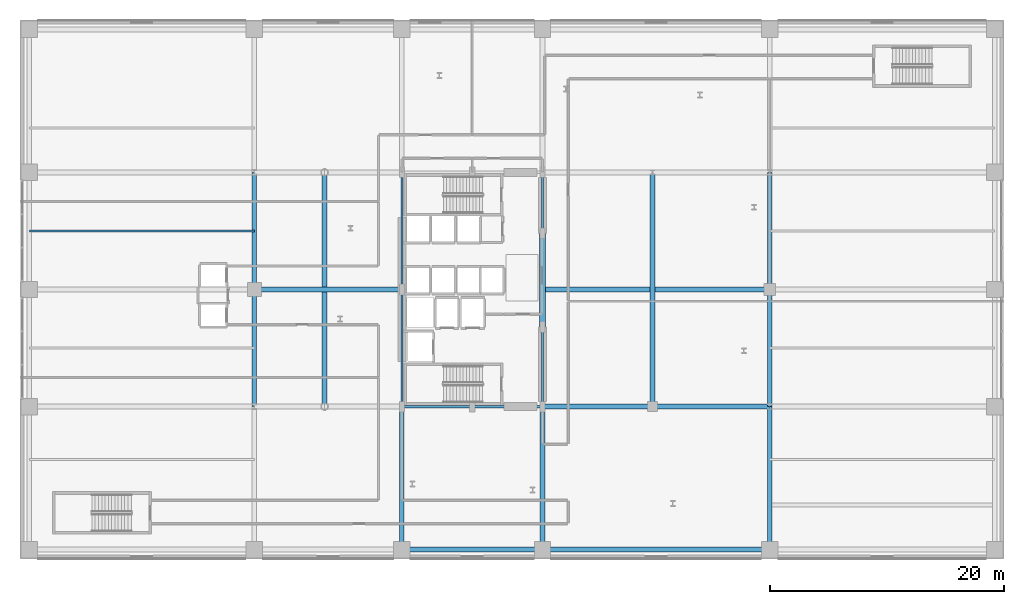
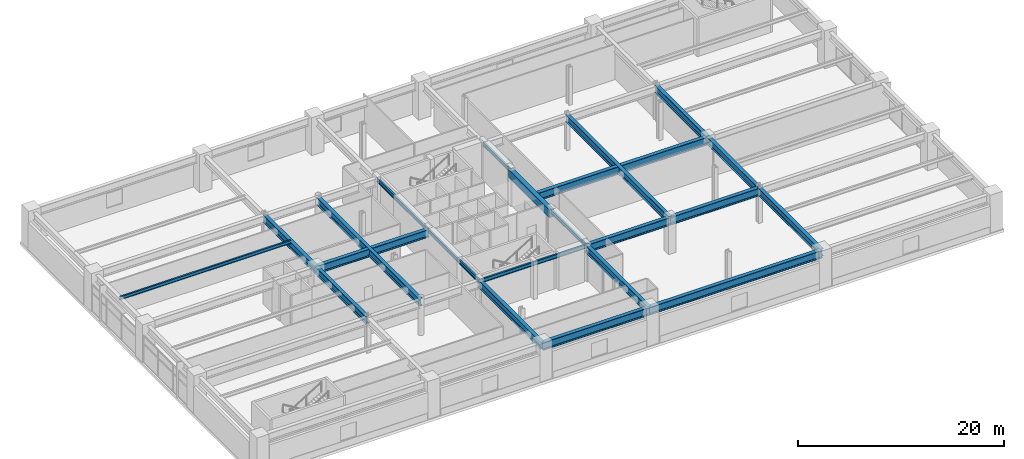
# One storey, part 10 of 28: 23 beams.
"""IFC4 building model written with IfcOpenShell, lengths in metres."""

from ifc_helpers import new_model, si_unit, direction, frame, origin, origin_2d, place, context, subcontext, project, spatial, rectangle, i_section, extrude, material, material_profile, profile_set, type_object, element, save


model = new_model("IFC4")

# Units and contexts
model_context = context("Model", 3, precision=1e-05, world=origin(), true_north=direction((0.0, 1.0)))
body_context = subcontext(model_context, "Body", "Model", "MODEL_VIEW")
ifc_project = project(units=[si_unit("LENGTHUNIT", "METRE"), si_unit("AREAUNIT", "SQUARE_METRE"), si_unit("VOLUMEUNIT", "CUBIC_METRE"), si_unit("PLANEANGLEUNIT", "RADIAN"), si_unit("MASSUNIT", "GRAM", prefix="KILO")], contexts=[model_context])

# Site, building, storey
site_placement = place(None, origin())
site = spatial("IfcSite", under=ifc_project, at=site_placement, CompositionType="ELEMENT")
building_placement = place(site_placement, origin())
building = spatial("IfcBuilding", under=site, at=building_placement, Name="Soratama Intermodal Tower", CompositionType="ELEMENT")
storey_placement = place(building_placement, frame((0.0, 0.0, 16.199951171875)))
storey = spatial("IfcBuildingStorey", under=building, at=storey_placement, Name="L03", CompositionType="ELEMENT", Elevation=16.199951171875)

# Beams
ifc_material_1 = material(Name="Concrete f'c 56 MPa", Category="concrete")
ifc_material_profile_1 = material_profile(ifc_material_1, rectangle(XDim=0.5, YDim=0.949951171875, at=origin_2d()), Name="RC500X950")
ifc_profile_set_1 = profile_set([ifc_material_profile_1], Name="Concrete f'c 56 MPa")
beam_type_1 = type_object("IfcBeamType", Name="BM-CPL-RC500X950", PredefinedType="BEAM", material=ifc_profile_set_1)
beam_1_placement = place(storey_placement, frame((44.60009765625, 21.800048828125, 3.705078125), z_axis=(0.0, 1.0, 0.0), x_axis=(-1.0, 0.0, 0.0)))
element("IfcBeam", 1, at=beam_1_placement, inside=storey, type_object=beam_type_1, Name="L03 Core Coupling Beam East", PredefinedType="BEAM", context=body_context, shape_type="SweptSolid", body=[
    extrude(rectangle(XDim=0.5, YDim=0.949951171875, at=origin_2d()), origin(), (0.0, 0.0, 1.0), 8.0),
])
ifc_material_2 = material(Name="Structural steel ASTM A992 Grade 50", Category="steel")
ifc_material_profile_2 = material_profile(ifc_material_2, i_section(OverallWidth=0.19091796875, OverallDepth=0.4599609375, WebThickness=0.010009765625, FlangeThickness=0.01611328125, FilletRadius=0.010986328125, at=origin_2d()), Name="W18X55")
ifc_profile_set_2 = profile_set([ifc_material_profile_2], Name="Structural steel ASTM A992 Grade 50")
beam_type_2 = type_object("IfcBeamType", Name="BM-FLR-W18X55", PredefinedType="BEAM", material=ifc_profile_set_2)
for number, where, z_axis, x_axis, name in (
    (2, (32.60009765625, 15.0, 3.949951171875), (1.0, 0.0, 0.0), (0.0, 1.0, 0.0), "BM-L03-CRING-01"),
    (3, (38.60009765625, 15.0, 3.949951171875), (1.0, 0.0, 0.0), (0.0, 1.0, 0.0), "BM-L03-CRING-02"),
):
    element("IfcBeam", number, at=place(storey_placement, frame(where, z_axis=z_axis, x_axis=x_axis)), inside=storey, type_object=beam_type_2, Name=name, PredefinedType="BEAM", context=body_context, shape_type="SweptSolid", body=[
        extrude(i_section(OverallWidth=0.19091796875, OverallDepth=0.4599609375, WebThickness=0.010009765625, FlangeThickness=0.01611328125, FilletRadius=0.010986328125, at=origin_2d()), origin(), (0.0, 0.0, 1.0), 6.0),
    ])
beam_2_placement = place(storey_placement, frame((44.60009765625, 15.0, 3.949951171875), z_axis=(0.0, 1.0, 0.0), x_axis=(-1.0, 0.0, 0.0)))
element("IfcBeam", 4, at=beam_2_placement, inside=storey, type_object=beam_type_2, Name="BM-L03-CRING-03", PredefinedType="BEAM", context=body_context, shape_type="SweptSolid", body=[
    extrude(i_section(OverallWidth=0.19091796875, OverallDepth=0.4599609375, WebThickness=0.010009765625, FlangeThickness=0.01611328125, FilletRadius=0.010986328125, at=origin_2d()), origin(), (0.0, 0.0, 1.0), 6.800048828125),
])
beam_3_placement = place(storey_placement, frame((44.60009765625, 29.800048828125, 3.949951171875), z_axis=(0.0, 1.0, 0.0), x_axis=(-1.0, 0.0, 0.0)))
element("IfcBeam", 5, at=beam_3_placement, inside=storey, type_object=beam_type_2, Name="BM-L03-CRING-05", PredefinedType="BEAM", context=body_context, shape_type="SweptSolid", body=[
    extrude(i_section(OverallWidth=0.19091796875, OverallDepth=0.4599609375, WebThickness=0.010009765625, FlangeThickness=0.01611328125, FilletRadius=0.010986328125, at=origin_2d()), origin(), (0.0, 0.0, 1.0), 5.199951171875),
])
for number, where, z_axis, x_axis, name in (
    (6, (32.60009765625, 35.0, 3.949951171875), (0.0, -1.0, 0.0), (1.0, 0.0, 0.0), "BM-L03-CRING-08"),
    (7, (32.60009765625, 25.0, 3.949951171875), (0.0, -1.0, 0.0), (1.0, 0.0, 0.0), "BM-L03-CRING-09"),
):
    element("IfcBeam", number, at=place(storey_placement, frame(where, z_axis=z_axis, x_axis=x_axis)), inside=storey, type_object=beam_type_2, Name=name, PredefinedType="BEAM", context=body_context, shape_type="SweptSolid", body=[
        extrude(i_section(OverallWidth=0.19091796875, OverallDepth=0.4599609375, WebThickness=0.010009765625, FlangeThickness=0.01611328125, FilletRadius=0.010986328125, at=origin_2d()), origin(), (0.0, 0.0, 1.0), 10.0),
    ])
ifc_material_3 = material(Name="Structural steel ASTM A992 Grade 50", Category="steel")
ifc_material_profile_3 = material_profile(ifc_material_3, i_section(OverallWidth=0.177978515625, OverallDepth=0.406982421875, WebThickness=0.0078125, FlangeThickness=0.0126953125, FilletRadius=0.010009765625, at=origin_2d()), Name="W16X40")
ifc_profile_set_3 = profile_set([ifc_material_profile_3], Name="Structural steel ASTM A992 Grade 50")
beam_type_3 = type_object("IfcBeamType", Name="BM-JST-W16X40", PredefinedType="JOIST", material=ifc_profile_set_3)
beam_4_placement = place(storey_placement, frame((0.800048828125, 30.0, 3.9765625), z_axis=(1.0, 0.0, 0.0), x_axis=(0.0, 1.0, 0.0)))
element("IfcBeam", 8, at=beam_4_placement, inside=storey, type_object=beam_type_3, Name="JST-L03-W3", PredefinedType="JOIST", context=body_context, shape_type="SweptSolid", body=[
    extrude(i_section(OverallWidth=0.177978515625, OverallDepth=0.406982421875, WebThickness=0.0078125, FlangeThickness=0.0126953125, FilletRadius=0.010009765625, at=origin_2d()), origin(), (0.0, 0.0, 1.0), 19.199951171875),
])
ifc_material_4 = material(Name="Structural steel ASTM A992 Grade 50", Category="steel")
ifc_material_profile_4 = material_profile(ifc_material_4, i_section(OverallWidth=0.423095703125, OverallDepth=0.93896484375, WebThickness=0.02392578125, FlangeThickness=0.042724609375, FilletRadius=0.02392578125, at=origin_2d()), Name="W36X302")
ifc_profile_set_4 = profile_set([ifc_material_profile_4], Name="Structural steel ASTM A992 Grade 50")
beam_type_4 = type_object("IfcBeamType", Name="BM-POD-EXT-W36", PredefinedType="BEAM", material=ifc_profile_set_4)
beam_5_placement = place(storey_placement, frame((32.60009765625, 2.800048828125, 3.71044921875), z_axis=(1.0, 0.0, 0.0), x_axis=(0.0, 1.0, 0.0)))
element("IfcBeam", 9, at=beam_5_placement, inside=storey, type_object=beam_type_4, Name="L03 Station Girder X1-3", PredefinedType="BEAM", context=body_context, shape_type="SweptSolid", body=[
    extrude(i_section(OverallWidth=0.423095703125, OverallDepth=0.93896484375, WebThickness=0.02392578125, FlangeThickness=0.042724609375, FilletRadius=0.02392578125, at=origin_2d()), origin(), (0.0, 0.0, 1.0), 12.0),
])
beam_6_placement = place(storey_placement, frame((44.60009765625, 2.800048828125, 3.71044921875), z_axis=(1.0, 0.0, 0.0), x_axis=(0.0, 1.0, 0.0)))
element("IfcBeam", 10, at=beam_6_placement, inside=storey, type_object=beam_type_4, Name="L03 Station Girder X1-4", PredefinedType="BEAM", context=body_context, shape_type="SweptSolid", body=[
    extrude(i_section(OverallWidth=0.423095703125, OverallDepth=0.93896484375, WebThickness=0.02392578125, FlangeThickness=0.042724609375, FilletRadius=0.02392578125, at=origin_2d()), origin(), (0.0, 0.0, 1.0), 19.39990234375),
])
ifc_material_5 = material(Name="Structural steel ASTM A992 Grade 50", Category="steel")
ifc_material_profile_5 = material_profile(ifc_material_5, i_section(OverallWidth=0.403076171875, OverallDepth=0.867919921875, WebThickness=0.02099609375, FlangeThickness=0.03564453125, FilletRadius=0.01806640625, at=origin_2d()), Name="W33X241")
ifc_profile_set_5 = profile_set([ifc_material_profile_5], Name="Structural steel ASTM A992 Grade 50")
beam_type_5 = type_object("IfcBeamType", Name="BM-POD-W33X241", PredefinedType="BEAM", material=ifc_profile_set_5)
for number, where, z_axis, x_axis, name in (
    (11, (20.0, 15.0, 3.74609375), (0.0, 1.0, 0.0), (-1.0, 0.0, 0.0), "L03 Station Girder Y2-2"),
    (12, (20.0, 25.0, 3.74609375), (0.0, 1.0, 0.0), (-1.0, 0.0, 0.0), "L03 Station Girder Y2-3"),
):
    element("IfcBeam", number, at=place(storey_placement, frame(where, z_axis=z_axis, x_axis=x_axis)), inside=storey, type_object=beam_type_5, Name=name, PredefinedType="BEAM", context=body_context, shape_type="SweptSolid", body=[
        extrude(i_section(OverallWidth=0.403076171875, OverallDepth=0.867919921875, WebThickness=0.02099609375, FlangeThickness=0.03564453125, FilletRadius=0.01806640625, at=origin_2d()), origin(), (0.0, 0.0, 1.0), 10.0),
    ])
beam_7_placement = place(storey_placement, frame((64.0, 2.800048828125, 3.74609375), z_axis=(0.0, 1.0, 0.0), x_axis=(-1.0, 0.0, 0.0)))
element("IfcBeam", 13, at=beam_7_placement, inside=storey, type_object=beam_type_5, Name="L03 Station Girder Y3-1", PredefinedType="BEAM", context=body_context, shape_type="SweptSolid", body=[
    extrude(i_section(OverallWidth=0.403076171875, OverallDepth=0.867919921875, WebThickness=0.02099609375, FlangeThickness=0.03564453125, FilletRadius=0.01806640625, at=origin_2d()), origin(), (0.0, 0.0, 1.0), 12.199951171875),
])
for number, where, z_axis, x_axis, name in (
    (14, (64.0, 15.0, 3.74609375), (0.0, 1.0, 0.0), (-1.0, 0.0, 0.0), "L03 Station Girder Y3-2"),
    (15, (64.0, 25.0, 3.74609375), (0.0, 1.0, 0.0), (-1.0, 0.0, 0.0), "L03 Station Girder Y3-3"),
):
    element("IfcBeam", number, at=place(storey_placement, frame(where, z_axis=z_axis, x_axis=x_axis)), inside=storey, type_object=beam_type_5, Name=name, PredefinedType="BEAM", context=body_context, shape_type="SweptSolid", body=[
        extrude(i_section(OverallWidth=0.403076171875, OverallDepth=0.867919921875, WebThickness=0.02099609375, FlangeThickness=0.03564453125, FilletRadius=0.01806640625, at=origin_2d()), origin(), (0.0, 0.0, 1.0), 10.0),
    ])
for number, where, z_axis, x_axis, name in (
    (16, (32.60009765625, 2.800048828125, 3.74609375), (0.0, 1.0, 0.0), (-1.0, 0.0, 0.0), "BM-L03-GYC-1-1"),
    (17, (44.60009765625, 2.800048828125, 3.74609375), (0.0, 1.0, 0.0), (-1.0, 0.0, 0.0), "BM-L03-GYC-2-1"),
):
    element("IfcBeam", number, at=place(storey_placement, frame(where, z_axis=z_axis, x_axis=x_axis)), inside=storey, type_object=beam_type_5, Name=name, PredefinedType="BEAM", context=body_context, shape_type="SweptSolid", body=[
        extrude(i_section(OverallWidth=0.403076171875, OverallDepth=0.867919921875, WebThickness=0.02099609375, FlangeThickness=0.03564453125, FilletRadius=0.01806640625, at=origin_2d()), origin(), (0.0, 0.0, 1.0), 12.199951171875),
    ])
for number, where, z_axis, x_axis, name in (
    (18, (26.0, 15.0, 3.74609375), (0.0, 1.0, 0.0), (-1.0, 0.0, 0.0), "BM-L03-GYS-1"),
    (19, (54.0, 15.0, 3.74609375), (0.0, 1.0, 0.0), (-1.0, 0.0, 0.0), "BM-L03-GYS-2"),
):
    element("IfcBeam", number, at=place(storey_placement, frame(where, z_axis=z_axis, x_axis=x_axis)), inside=storey, type_object=beam_type_5, Name=name, PredefinedType="BEAM", context=body_context, shape_type="SweptSolid", body=[
        extrude(i_section(OverallWidth=0.403076171875, OverallDepth=0.867919921875, WebThickness=0.02099609375, FlangeThickness=0.03564453125, FilletRadius=0.01806640625, at=origin_2d()), origin(), (0.0, 0.0, 1.0), 20.0),
    ])
ifc_material_6 = material(Name="Structural steel ASTM A992 Grade 50", Category="steel")
ifc_material_profile_6 = material_profile(ifc_material_6, i_section(OverallWidth=0.423095703125, OverallDepth=0.93896484375, WebThickness=0.02392578125, FlangeThickness=0.042724609375, FilletRadius=0.02392578125, at=origin_2d()), Name="W36X302")
ifc_profile_set_6 = profile_set([ifc_material_profile_6], Name="Structural steel ASTM A992 Grade 50")
beam_type_6 = type_object("IfcBeamType", Name="BM-POD-W36X302", PredefinedType="BEAM", material=ifc_profile_set_6)
beam_8_placement = place(storey_placement, frame((44.60009765625, 15.0, 3.71044921875), z_axis=(1.0, 0.0, 0.0), x_axis=(0.0, 1.0, 0.0)))
element("IfcBeam", 20, at=beam_8_placement, inside=storey, type_object=beam_type_6, Name="L03 Station Girder X2-4", PredefinedType="BEAM", context=body_context, shape_type="SweptSolid", body=[
    extrude(i_section(OverallWidth=0.423095703125, OverallDepth=0.93896484375, WebThickness=0.02392578125, FlangeThickness=0.042724609375, FilletRadius=0.02392578125, at=origin_2d()), origin(), (0.0, 0.0, 1.0), 9.39990234375),
])
beam_9_placement = place(storey_placement, frame((54.0, 15.0, 3.71044921875), z_axis=(1.0, 0.0, 0.0), x_axis=(0.0, 1.0, 0.0)))
element("IfcBeam", 21, at=beam_9_placement, inside=storey, type_object=beam_type_6, Name="L03 Station Girder X2-5", PredefinedType="BEAM", context=body_context, shape_type="SweptSolid", body=[
    extrude(i_section(OverallWidth=0.423095703125, OverallDepth=0.93896484375, WebThickness=0.02392578125, FlangeThickness=0.042724609375, FilletRadius=0.02392578125, at=origin_2d()), origin(), (0.0, 0.0, 1.0), 10.0),
])
beam_10_placement = place(storey_placement, frame((20.0, 25.0, 3.71044921875), z_axis=(1.0, 0.0, 0.0), x_axis=(0.0, 1.0, 0.0)))
element("IfcBeam", 22, at=beam_10_placement, inside=storey, type_object=beam_type_6, Name="L03 Station Girder X3-1", PredefinedType="BEAM", context=body_context, shape_type="SweptSolid", body=[
    extrude(i_section(OverallWidth=0.423095703125, OverallDepth=0.93896484375, WebThickness=0.02392578125, FlangeThickness=0.042724609375, FilletRadius=0.02392578125, at=origin_2d()), origin(), (0.0, 0.0, 1.0), 12.60009765625),
])
beam_11_placement = place(storey_placement, frame((44.60009765625, 25.0, 3.71044921875), z_axis=(1.0, 0.0, 0.0), x_axis=(0.0, 1.0, 0.0)))
element("IfcBeam", 23, at=beam_11_placement, inside=storey, type_object=beam_type_6, Name="L03 Station Girder X3-2", PredefinedType="BEAM", context=body_context, shape_type="SweptSolid", body=[
    extrude(i_section(OverallWidth=0.423095703125, OverallDepth=0.93896484375, WebThickness=0.02392578125, FlangeThickness=0.042724609375, FilletRadius=0.02392578125, at=origin_2d()), origin(), (0.0, 0.0, 1.0), 19.39990234375),
])

save(model, "model.ifc")
